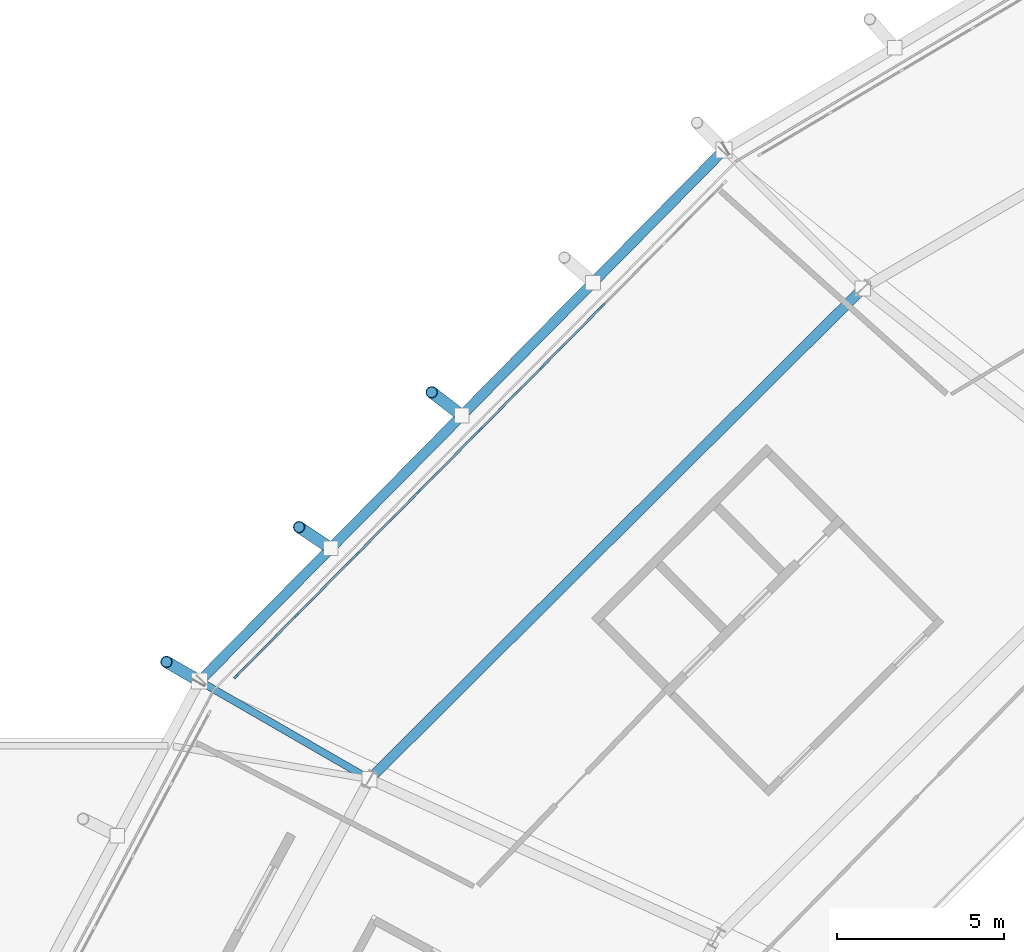
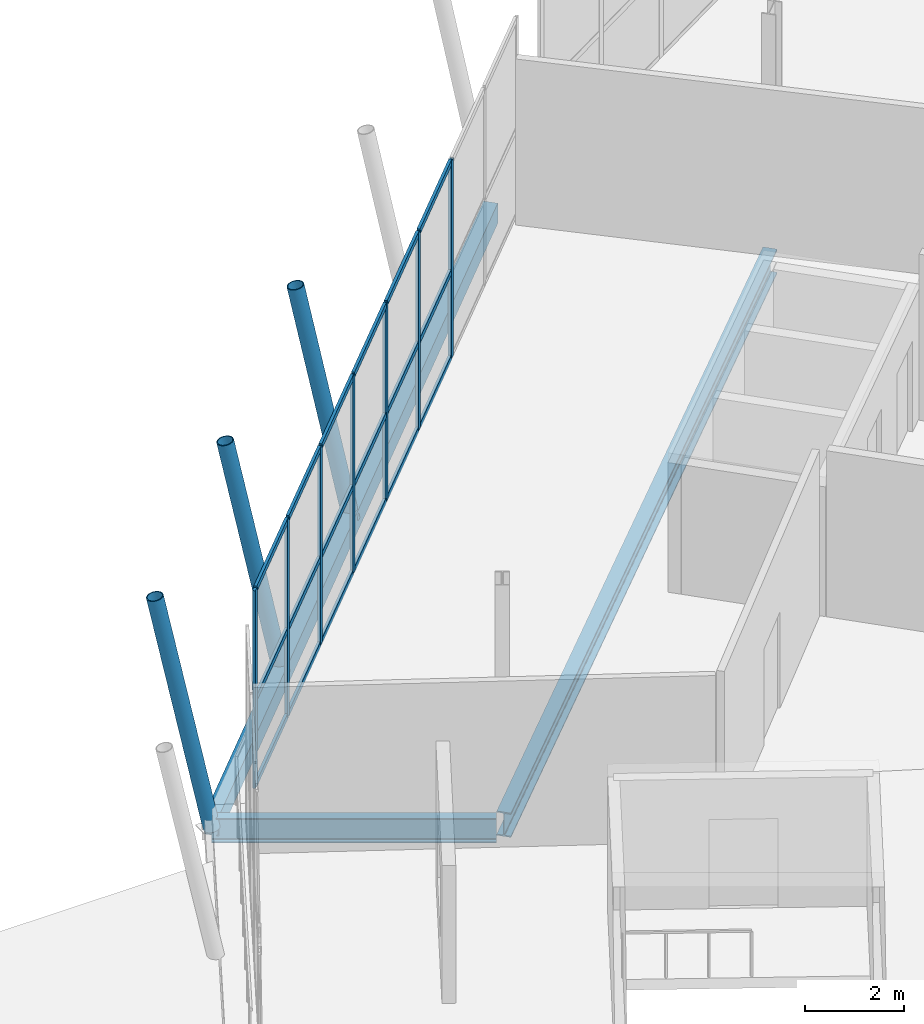
# One storey, part 29 of 99: 28 members, 3 beams, 1 element without a shape of its own.
"""IFC4 building model written with IfcOpenShell, lengths in metres."""

from ifc_helpers import new_model, si_unit, direction, frame, origin, origin_2d, place, context, subcontext, project, spatial, rectangle, hollow_rectangle, hollow_circle, i_section, extrude, material, material_profile, profile_set, type_object, element, aggregate, save


model = new_model("IFC4")

# Units and contexts
model_context = context("Model", 3, precision=1e-05, world=origin(), true_north=direction((0.0, 1.0)))
body_context = subcontext(model_context, "Body", "Model", "MODEL_VIEW")
ifc_project = project(units=[si_unit("LENGTHUNIT", "METRE"), si_unit("AREAUNIT", "SQUARE_METRE"), si_unit("VOLUMEUNIT", "CUBIC_METRE"), si_unit("PLANEANGLEUNIT", "RADIAN"), si_unit("MASSUNIT", "GRAM", prefix="KILO")], contexts=[model_context])

# Site, building, storey
site_placement = place(None, origin())
site = spatial("IfcSite", under=ifc_project, at=site_placement, CompositionType="ELEMENT")
building_placement = place(site_placement, origin())
building = spatial("IfcBuilding", under=site, at=building_placement, Name="Zlatoyarsky Gate Stadium", CompositionType="ELEMENT")
storey_placement = place(building_placement, frame((0.0, 0.0, 26.199951171875)))
storey = spatial("IfcBuildingStorey", under=building, at=storey_placement, Name="L05", CompositionType="ELEMENT", Elevation=26.199951171875)

# Curtain wall, members
ifc_material_1 = material(Name="Thermally broken anodised aluminium curtain wall", Category="aluminium")
curtain_wall_type = type_object("IfcCurtainWallType", Name="UNITISED SKYBOX RING GLAZING L05", PredefinedType="USERDEFINED", material=ifc_material_1)
curtain_wall_placement = place(storey_placement, origin())
curtain_wall = element("IfcCurtainWall", 1, at=curtain_wall_placement, inside=storey, type_object=curtain_wall_type, Name="Curtain wall CW-L05-09", ObjectType="UNITISED GLAZING", PredefinedType="USERDEFINED")
ifc_material_2 = material(Name="Anodised aluminium 6063-T6", Category="aluminium")
ifc_material_profile_1 = material_profile(ifc_material_2, rectangle(XDim=0.06494140625, YDim=0.159912109375, at=origin_2d()), Name="ALU 65X160")
ifc_profile_set_1 = profile_set([ifc_material_profile_1], Name="Anodised aluminium 6063-T6")
member_type_1 = type_object("IfcMemberType", Name="ALUMINIUM MULLION 65X160", PredefinedType="MULLION", material=ifc_profile_set_1)
member_1_placement = place(storey_placement, frame((37.448486328125, 129.690673828125, 0.0), z_axis=(0.0, 0.0, 1.0), x_axis=(0.711035710587, -0.70315589898, 0.0)))
member_1 = element("IfcMember", 2, at=member_1_placement, type_object=member_type_1, Name="CW-UG5 mullion 3", PredefinedType="MULLION", context=body_context, shape_type="SweptSolid", body=[
    extrude(rectangle(XDim=0.06494140625, YDim=0.159912109375, at=origin_2d()), origin(), (0.0, 0.0, 1.0), 4.880126953125),
])
member_2_placement = place(storey_placement, frame((35.612548828125, 127.834228515625, 0.0), z_axis=(0.0, 0.0, 1.0), x_axis=(0.711035710587, -0.70315589898, 0.0)))
member_2 = element("IfcMember", 3, at=member_2_placement, type_object=member_type_1, Name="CW-UG5 mullion 4", PredefinedType="MULLION", context=body_context, shape_type="SweptSolid", body=[
    extrude(rectangle(XDim=0.06494140625, YDim=0.159912109375, at=origin_2d()), origin(), (0.0, 0.0, 1.0), 4.880126953125),
])
member_3_placement = place(storey_placement, frame((33.7763671875, 125.9775390625, 0.0), z_axis=(0.0, 0.0, 1.0), x_axis=(0.711035710587, -0.70315589898, 0.0)))
member_3 = element("IfcMember", 4, at=member_3_placement, type_object=member_type_1, Name="CW-UG5 mullion 5", PredefinedType="MULLION", context=body_context, shape_type="SweptSolid", body=[
    extrude(rectangle(XDim=0.06494140625, YDim=0.159912109375, at=origin_2d()), origin(), (0.0, 0.0, 1.0), 4.880126953125),
])
member_4_placement = place(storey_placement, frame((31.9404296875, 124.120849609375, 0.0), z_axis=(0.0, 0.0, 1.0), x_axis=(0.711035710587, -0.70315589898, 0.0)))
member_4 = element("IfcMember", 5, at=member_4_placement, type_object=member_type_1, Name="CW-UG5 mullion 6", PredefinedType="MULLION", context=body_context, shape_type="SweptSolid", body=[
    extrude(rectangle(XDim=0.06494140625, YDim=0.159912109375, at=origin_2d()), origin(), (0.0, 0.0, 1.0), 4.880126953125),
])
member_5_placement = place(storey_placement, frame((30.1044921875, 122.264404296875, 0.0), z_axis=(0.0, 0.0, 1.0), x_axis=(0.711035710587, -0.70315589898, 0.0)))
member_5 = element("IfcMember", 6, at=member_5_placement, type_object=member_type_1, Name="CW-UG5 mullion 7", PredefinedType="MULLION", context=body_context, shape_type="SweptSolid", body=[
    extrude(rectangle(XDim=0.06494140625, YDim=0.159912109375, at=origin_2d()), origin(), (0.0, 0.0, 1.0), 4.880126953125),
])
member_6_placement = place(storey_placement, frame((28.268310546875, 120.40771484375, 0.0), z_axis=(0.0, 0.0, 1.0), x_axis=(0.711035710587, -0.70315589898, 0.0)))
member_6 = element("IfcMember", 7, at=member_6_placement, type_object=member_type_1, Name="CW-UG5 mullion 8", PredefinedType="MULLION", context=body_context, shape_type="SweptSolid", body=[
    extrude(rectangle(XDim=0.06494140625, YDim=0.159912109375, at=origin_2d()), origin(), (0.0, 0.0, 1.0), 4.880126953125),
])
member_7_placement = place(storey_placement, frame((26.455322265625, 118.57421875, 0.0), z_axis=(0.0, 0.0, 1.0), x_axis=(0.711035710587, -0.70315589898, 0.0)))
member_7 = element("IfcMember", 8, at=member_7_placement, type_object=member_type_1, Name="CW-UG5 mullion 9", PredefinedType="MULLION", context=body_context, shape_type="SweptSolid", body=[
    extrude(rectangle(XDim=0.06494140625, YDim=0.159912109375, at=origin_2d()), origin(), (0.0, 0.0, 1.0), 4.880126953125),
])
ifc_material_profile_2 = material_profile(ifc_material_2, rectangle(XDim=0.06494140625, YDim=0.139892578125, at=origin_2d()), Name="ALU 65X140")
ifc_profile_set_2 = profile_set([ifc_material_profile_2], Name="Anodised aluminium 6063-T6")
member_type_2 = type_object("IfcMemberType", Name="ALUMINIUM TRANSOM 65X140", PredefinedType="USERDEFINED", material=ifc_profile_set_2)
member_8_placement = place(storey_placement, frame((37.425537109375, 129.667724609375, 0.032470703125), z_axis=(-0.703116404332, -0.711074765379, 0.0), x_axis=(0.711074765379, -0.703116404332, 0.0)))
member_8 = element("IfcMember", 9, at=member_8_placement, type_object=member_type_2, Name="CW-UG5 transom 3.1", ObjectType="TRANSOM", PredefinedType="USERDEFINED", context=body_context, shape_type="SweptSolid", body=[
    extrude(rectangle(XDim=0.06494140625, YDim=0.139892578125, at=origin_2d()), origin(), (0.0, 0.0, 1.0), 2.546142578125),
])
member_9_placement = place(storey_placement, frame((37.425537109375, 129.667724609375, 2.150146484375), z_axis=(-0.703116404332, -0.711074765379, 0.0), x_axis=(0.711074765379, -0.703116404332, 0.0)))
member_9 = element("IfcMember", 10, at=member_9_placement, type_object=member_type_2, Name="CW-UG5 transom 3.2", ObjectType="TRANSOM", PredefinedType="USERDEFINED", context=body_context, shape_type="SweptSolid", body=[
    extrude(rectangle(XDim=0.06494140625, YDim=0.139892578125, at=origin_2d()), origin(), (0.0, 0.0, 1.0), 2.546142578125),
])
member_10_placement = place(storey_placement, frame((37.425537109375, 129.667724609375, 4.84765625), z_axis=(-0.703116404332, -0.711074765379, 0.0), x_axis=(0.711074765379, -0.703116404332, 0.0)))
member_10 = element("IfcMember", 11, at=member_10_placement, type_object=member_type_2, Name="CW-UG5 transom 3.3", ObjectType="TRANSOM", PredefinedType="USERDEFINED", context=body_context, shape_type="SweptSolid", body=[
    extrude(rectangle(XDim=0.06494140625, YDim=0.139892578125, at=origin_2d()), origin(), (0.0, 0.0, 1.0), 2.546142578125),
])
member_11_placement = place(storey_placement, frame((35.589599609375, 127.81103515625, 0.032470703125), z_axis=(-0.7031643449, -0.711027358166, 0.0), x_axis=(0.711027358166, -0.7031643449, 0.0)))
member_11 = element("IfcMember", 12, at=member_11_placement, type_object=member_type_2, Name="CW-UG5 transom 4.1", ObjectType="TRANSOM", PredefinedType="USERDEFINED", context=body_context, shape_type="SweptSolid", body=[
    extrude(rectangle(XDim=0.06494140625, YDim=0.139892578125, at=origin_2d()), origin(), (0.0, 0.0, 1.0), 2.546142578125),
])
member_12_placement = place(storey_placement, frame((35.589599609375, 127.81103515625, 2.150146484375), z_axis=(-0.7031643449, -0.711027358166, 0.0), x_axis=(0.711027358166, -0.7031643449, 0.0)))
member_12 = element("IfcMember", 13, at=member_12_placement, type_object=member_type_2, Name="CW-UG5 transom 4.2", ObjectType="TRANSOM", PredefinedType="USERDEFINED", context=body_context, shape_type="SweptSolid", body=[
    extrude(rectangle(XDim=0.06494140625, YDim=0.139892578125, at=origin_2d()), origin(), (0.0, 0.0, 1.0), 2.546142578125),
])
member_13_placement = place(storey_placement, frame((35.589599609375, 127.81103515625, 4.84765625), z_axis=(-0.7031643449, -0.711027358166, 0.0), x_axis=(0.711027358166, -0.7031643449, 0.0)))
member_13 = element("IfcMember", 14, at=member_13_placement, type_object=member_type_2, Name="CW-UG5 transom 4.3", ObjectType="TRANSOM", PredefinedType="USERDEFINED", context=body_context, shape_type="SweptSolid", body=[
    extrude(rectangle(XDim=0.06494140625, YDim=0.139892578125, at=origin_2d()), origin(), (0.0, 0.0, 1.0), 2.546142578125),
])
member_14_placement = place(storey_placement, frame((33.753662109375, 125.954345703125, 0.032470703125), z_axis=(-0.7031643449, -0.711027358166, 0.0), x_axis=(0.711027358166, -0.7031643449, 0.0)))
member_14 = element("IfcMember", 15, at=member_14_placement, type_object=member_type_2, Name="CW-UG5 transom 5.1", ObjectType="TRANSOM", PredefinedType="USERDEFINED", context=body_context, shape_type="SweptSolid", body=[
    extrude(rectangle(XDim=0.06494140625, YDim=0.139892578125, at=origin_2d()), origin(), (0.0, 0.0, 1.0), 2.546142578125),
])
member_15_placement = place(storey_placement, frame((33.753662109375, 125.954345703125, 2.150146484375), z_axis=(-0.7031643449, -0.711027358166, 0.0), x_axis=(0.711027358166, -0.7031643449, 0.0)))
member_15 = element("IfcMember", 16, at=member_15_placement, type_object=member_type_2, Name="CW-UG5 transom 5.2", ObjectType="TRANSOM", PredefinedType="USERDEFINED", context=body_context, shape_type="SweptSolid", body=[
    extrude(rectangle(XDim=0.06494140625, YDim=0.139892578125, at=origin_2d()), origin(), (0.0, 0.0, 1.0), 2.546142578125),
])
member_16_placement = place(storey_placement, frame((33.753662109375, 125.954345703125, 4.84765625), z_axis=(-0.7031643449, -0.711027358166, 0.0), x_axis=(0.711027358166, -0.7031643449, 0.0)))
member_16 = element("IfcMember", 17, at=member_16_placement, type_object=member_type_2, Name="CW-UG5 transom 5.3", ObjectType="TRANSOM", PredefinedType="USERDEFINED", context=body_context, shape_type="SweptSolid", body=[
    extrude(rectangle(XDim=0.06494140625, YDim=0.139892578125, at=origin_2d()), origin(), (0.0, 0.0, 1.0), 2.546142578125),
])
member_17_placement = place(storey_placement, frame((31.91748046875, 124.097900390625, 0.032470703125), z_axis=(-0.7031643449, -0.711027358166, 0.0), x_axis=(0.711027358166, -0.7031643449, 0.0)))
member_17 = element("IfcMember", 18, at=member_17_placement, type_object=member_type_2, Name="CW-UG5 transom 6.1", ObjectType="TRANSOM", PredefinedType="USERDEFINED", context=body_context, shape_type="SweptSolid", body=[
    extrude(rectangle(XDim=0.06494140625, YDim=0.139892578125, at=origin_2d()), origin(), (0.0, 0.0, 1.0), 2.546142578125),
])
member_18_placement = place(storey_placement, frame((31.91748046875, 124.097900390625, 2.150146484375), z_axis=(-0.7031643449, -0.711027358166, 0.0), x_axis=(0.711027358166, -0.7031643449, 0.0)))
member_18 = element("IfcMember", 19, at=member_18_placement, type_object=member_type_2, Name="CW-UG5 transom 6.2", ObjectType="TRANSOM", PredefinedType="USERDEFINED", context=body_context, shape_type="SweptSolid", body=[
    extrude(rectangle(XDim=0.06494140625, YDim=0.139892578125, at=origin_2d()), origin(), (0.0, 0.0, 1.0), 2.546142578125),
])
member_19_placement = place(storey_placement, frame((31.91748046875, 124.097900390625, 4.84765625), z_axis=(-0.7031643449, -0.711027358166, 0.0), x_axis=(0.711027358166, -0.7031643449, 0.0)))
member_19 = element("IfcMember", 20, at=member_19_placement, type_object=member_type_2, Name="CW-UG5 transom 6.3", ObjectType="TRANSOM", PredefinedType="USERDEFINED", context=body_context, shape_type="SweptSolid", body=[
    extrude(rectangle(XDim=0.06494140625, YDim=0.139892578125, at=origin_2d()), origin(), (0.0, 0.0, 1.0), 2.546142578125),
])
member_20_placement = place(storey_placement, frame((30.08154296875, 122.2412109375, 0.032470703125), z_axis=(-0.7031643449, -0.711027358166, 0.0), x_axis=(0.711027358166, -0.7031643449, 0.0)))
member_20 = element("IfcMember", 21, at=member_20_placement, type_object=member_type_2, Name="CW-UG5 transom 7.1", ObjectType="TRANSOM", PredefinedType="USERDEFINED", context=body_context, shape_type="SweptSolid", body=[
    extrude(rectangle(XDim=0.06494140625, YDim=0.139892578125, at=origin_2d()), origin(), (0.0, 0.0, 1.0), 2.546142578125),
])
member_21_placement = place(storey_placement, frame((30.08154296875, 122.2412109375, 2.150146484375), z_axis=(-0.7031643449, -0.711027358166, 0.0), x_axis=(0.711027358166, -0.7031643449, 0.0)))
member_21 = element("IfcMember", 22, at=member_21_placement, type_object=member_type_2, Name="CW-UG5 transom 7.2", ObjectType="TRANSOM", PredefinedType="USERDEFINED", context=body_context, shape_type="SweptSolid", body=[
    extrude(rectangle(XDim=0.06494140625, YDim=0.139892578125, at=origin_2d()), origin(), (0.0, 0.0, 1.0), 2.546142578125),
])
member_22_placement = place(storey_placement, frame((30.08154296875, 122.2412109375, 4.84765625), z_axis=(-0.7031643449, -0.711027358166, 0.0), x_axis=(0.711027358166, -0.7031643449, 0.0)))
member_22 = element("IfcMember", 23, at=member_22_placement, type_object=member_type_2, Name="CW-UG5 transom 7.3", ObjectType="TRANSOM", PredefinedType="USERDEFINED", context=body_context, shape_type="SweptSolid", body=[
    extrude(rectangle(XDim=0.06494140625, YDim=0.139892578125, at=origin_2d()), origin(), (0.0, 0.0, 1.0), 2.546142578125),
])
member_23_placement = place(storey_placement, frame((28.24560546875, 120.384765625, 0.032470703125), z_axis=(-0.703162404699, -0.711029276906, 0.0), x_axis=(0.711029276906, -0.703162404699, 0.0)))
member_23 = element("IfcMember", 24, at=member_23_placement, type_object=member_type_2, Name="CW-UG5 transom 8.1", ObjectType="TRANSOM", PredefinedType="USERDEFINED", context=body_context, shape_type="SweptSolid", body=[
    extrude(rectangle(XDim=0.06494140625, YDim=0.139892578125, at=origin_2d()), origin(), (0.0, 0.0, 1.0), 2.513671875),
])
member_24_placement = place(storey_placement, frame((28.24560546875, 120.384765625, 2.150146484375), z_axis=(-0.703162404699, -0.711029276906, 0.0), x_axis=(0.711029276906, -0.703162404699, 0.0)))
member_24 = element("IfcMember", 25, at=member_24_placement, type_object=member_type_2, Name="CW-UG5 transom 8.2", ObjectType="TRANSOM", PredefinedType="USERDEFINED", context=body_context, shape_type="SweptSolid", body=[
    extrude(rectangle(XDim=0.06494140625, YDim=0.139892578125, at=origin_2d()), origin(), (0.0, 0.0, 1.0), 2.513671875),
])
member_25_placement = place(storey_placement, frame((28.24560546875, 120.384765625, 4.84765625), z_axis=(-0.703162404699, -0.711029276906, 0.0), x_axis=(0.711029276906, -0.703162404699, 0.0)))
member_25 = element("IfcMember", 26, at=member_25_placement, type_object=member_type_2, Name="CW-UG5 transom 8.3", ObjectType="TRANSOM", PredefinedType="USERDEFINED", context=body_context, shape_type="SweptSolid", body=[
    extrude(rectangle(XDim=0.06494140625, YDim=0.139892578125, at=origin_2d()), origin(), (0.0, 0.0, 1.0), 2.513671875),
])
aggregate(curtain_wall, [member_1, member_2, member_3, member_4, member_5, member_6, member_7, member_8, member_9, member_10, member_11, member_12, member_13, member_14, member_15, member_16, member_17, member_18, member_19, member_20, member_21, member_22, member_23, member_24, member_25])

# Beam
ifc_material_3 = material(Name="Steel S355", Category="steel")
ifc_material_profile_3 = material_profile(ifc_material_3, i_section(OverallWidth=0.219970703125, OverallDepth=0.60009765625, WebThickness=0.011962890625, FlangeThickness=0.01904296875, FilletRadius=0.02392578125, at=origin_2d()), Name="IPE 600")
ifc_profile_set_3 = profile_set([ifc_material_profile_3], Name="Steel S355")
beam_type_1 = type_object("IfcBeamType", Name="STEEL CANTILEVER FLOOR BEAM IPE 600", PredefinedType="BEAM", material=ifc_profile_set_3)
beam_1_placement = place(storey_placement, frame((30.355712890625, 115.56005859375, -0.56005859375), z_axis=(-0.866032366698, 0.499987939687, 0.0), x_axis=(-0.499987939687, -0.866032366698, 0.0)))
element("IfcBeam", 27, at=beam_1_placement, inside=storey, type_object=beam_type_1, Name="Beam B-IPE600 BM-L05-OUT-10", PredefinedType="BEAM", context=body_context, shape_type="SweptSolid", body=[
    extrude(i_section(OverallWidth=0.219970703125, OverallDepth=0.60009765625, WebThickness=0.011962890625, FlangeThickness=0.01904296875, FilletRadius=0.02392578125, at=origin_2d()), origin(), (0.0, 0.0, 1.0), 5.758056640625),
])

# Members
ifc_material_profile_4 = material_profile(ifc_material_3, hollow_circle(Radius=0.177734375, WallThickness=0.02001953125, at=origin_2d()), Name="CHS 355.6X20")
ifc_profile_set_4 = profile_set([ifc_material_profile_4], Name="Steel S355")
member_type_3 = type_object("IfcMemberType", Name="STEEL LEANING RIB RING STRUT CHS 355.6X20", PredefinedType="STRUT", material=ifc_profile_set_4)
member_26_placement = place(storey_placement, frame((33.225830078125, 126.39990234375, -0.510009765625), z_axis=(-0.156580017913, 0.120172943804, 0.98032706867), x_axis=(-0.608840732875, -0.793292481997, 0.0)))
element("IfcMember", 28, at=member_26_placement, inside=storey, type_object=member_type_3, Name="Outward-leaning bowl louvre fin rib L05 09-2", PredefinedType="STRUT", context=body_context, shape_type="SweptSolid", body=[
    extrude(hollow_circle(Radius=0.177734375, WallThickness=0.02001953125, at=origin_2d()), origin(), (0.0, 0.0, 1.0), 5.773681640625),
])
member_27_placement = place(storey_placement, frame((29.297607421875, 122.41943359375, -0.510009765625), z_axis=(-0.164514777259, 0.109845641562, 0.980239166272), x_axis=(-0.555291946385, -0.83165549014, 0.0)))
element("IfcMember", 29, at=member_27_placement, inside=storey, type_object=member_type_3, Name="Outward-leaning bowl louvre fin rib L05 09-3", PredefinedType="STRUT", context=body_context, shape_type="SweptSolid", body=[
    extrude(hollow_circle(Radius=0.177734375, WallThickness=0.02001953125, at=origin_2d()), origin(), (0.0, 0.0, 1.0), 5.774169921875),
])
member_28_placement = place(storey_placement, frame((25.369140625, 118.43896484375, -0.56005859375), z_axis=(-0.170925398241, 0.098707531353, 0.980327155337), x_axis=(-0.500090077572, -0.865973391227, 0.0)))
element("IfcMember", 30, at=member_28_placement, inside=storey, type_object=member_type_3, Name="Upper leaning rib ring strut 10", PredefinedType="STRUT", context=body_context, shape_type="SweptSolid", body=[
    extrude(hollow_circle(Radius=0.177734375, WallThickness=0.02001953125, at=origin_2d()), origin(), (0.0, 0.0, 1.0), 5.82470703125),
])

# Beams
ifc_material_profile_5 = material_profile(ifc_material_3, hollow_rectangle(XDim=0.300048828125, YDim=0.5, WallThickness=0.02001953125, at=origin_2d()), Name="RHS 500X300X20")
ifc_profile_set_5 = profile_set([ifc_material_profile_5], Name="Steel S355")
beam_type_2 = type_object("IfcBeamType", Name="STEEL LOUVRE CARRIER SPANDREL RHS 500X300X20", PredefinedType="SPANDREL", material=ifc_profile_set_5)
beam_2_placement = place(storey_placement, frame((41.068603515625, 134.3466796875, -0.510009765625), z_axis=(-0.702433914239, -0.711748969881, 0.0), x_axis=(0.711748969881, -0.702433914239, 0.0)))
element("IfcBeam", 31, at=beam_2_placement, inside=storey, type_object=beam_type_2, Name="Beam SP-RHS500 BM-L05-SPD-09", PredefinedType="SPANDREL", context=body_context, shape_type="SweptSolid", body=[
    extrude(hollow_rectangle(XDim=0.300048828125, YDim=0.5, WallThickness=0.02001953125, at=origin_2d()), origin(), (0.0, 0.0, 1.0), 22.330322265625),
])
ifc_material_profile_6 = material_profile(ifc_material_3, i_section(OverallWidth=0.300048828125, OverallDepth=0.60009765625, WebThickness=0.015380859375, FlangeThickness=0.030029296875, FilletRadius=0.027099609375, at=origin_2d()), Name="HEB 600")
ifc_profile_set_6 = profile_set([ifc_material_profile_6], Name="Steel S355")
beam_type_3 = type_object("IfcBeamType", Name="STEEL PRIMARY GIRDER HEB 600", PredefinedType="BEAM", material=ifc_profile_set_6)
beam_3_placement = place(storey_placement, frame((45.154052734375, 130.1201171875, -0.56005859375), z_axis=(-0.708899260134, -0.705309746835, 0.0), x_axis=(0.705309746835, -0.708899260134, 0.0)))
element("IfcBeam", 32, at=beam_3_placement, inside=storey, type_object=beam_type_3, Name="Beam G-HEB600 BM-L05-CRC-09", PredefinedType="BEAM", context=body_context, shape_type="SweptSolid", body=[
    extrude(i_section(OverallWidth=0.300048828125, OverallDepth=0.60009765625, WebThickness=0.015380859375, FlangeThickness=0.030029296875, FilletRadius=0.027099609375, at=origin_2d()), origin(), (0.0, 0.0, 1.0), 20.608642578125),
])

save(model, "model.ifc")
